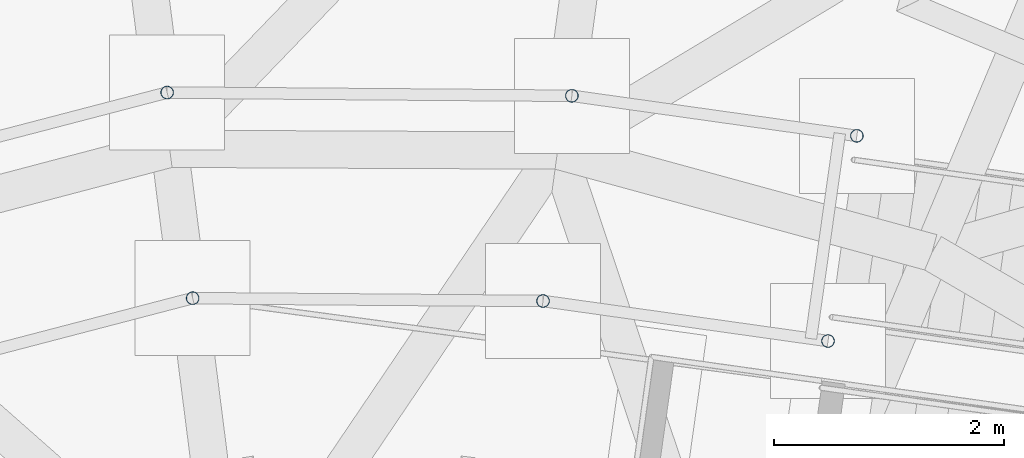
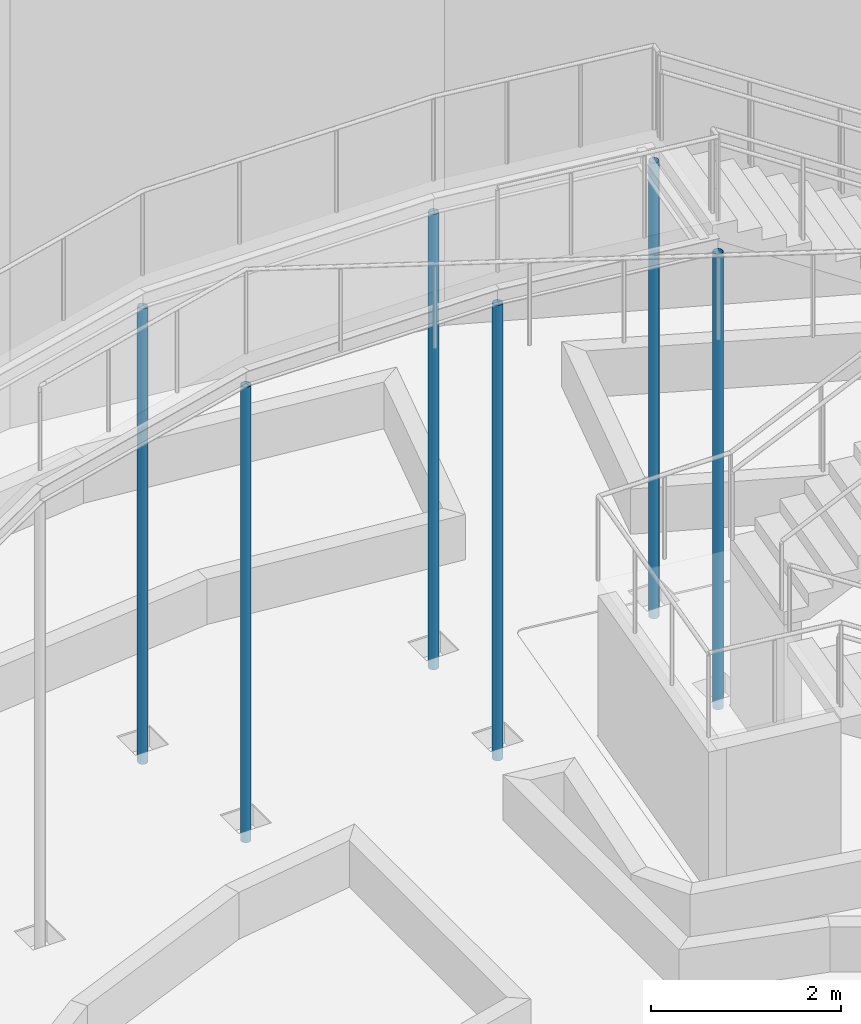
# One storey, part 39 of 226: 6 columns.
"""IFC4 building model written with IfcOpenShell, lengths in metres."""

import ifcopenshell
import ifcopenshell.guid

model = None  # the IFC model being written
_history = None  # IfcOwnerHistory: only IFC2X3 demands one
_inside = {}  # id of a spatial element -> (the spatial element, [elements in it])
_under = {}  # id of a project, library or spatial element -> (it, [spatial elements below it])
_declared = {}  # id of a project -> (the project, [libraries it declares])
_typed = {}  # id of a type object -> (the type object, [elements of that type])
_made_of = {}  # id of a material, layer set ... -> (it, [elements and type objects made of it])


def new_model(schema):
    """Start an empty IFC model of exactly this schema.

    Asked for "IFC4X3", IfcOpenShell would pick the latest addendum, in which some entities
    have other attributes; the version numbers below select the first issue.
    IFC2X3 requires an IfcOwnerHistory on every rooted entity: one is made here for all.
    """
    global model, _history
    if schema == "IFC4X3":
        model = ifcopenshell.file(schema_version=(4, 3, 0, 0))
    else:
        model = ifcopenshell.file(schema=schema)
    _inside.clear()
    _under.clear()
    _declared.clear()
    _typed.clear()
    _made_of.clear()
    _history = None
    if model.schema == "IFC2X3":
        org = make("IfcOrganization", Name="unknown")
        user = make(
            "IfcPersonAndOrganization",
            ThePerson=make("IfcPerson", FamilyName="unknown"),
            TheOrganization=org,
        )
        app = make(
            "IfcApplication",
            ApplicationDeveloper=org,
            Version="unknown",
            ApplicationFullName="unknown",
            ApplicationIdentifier="unknown",
        )
        _history = make(
            "IfcOwnerHistory",
            OwningUser=user,
            OwningApplication=app,
            ChangeAction="ADDED",
            CreationDate=0,
        )
    return model


def make(cls, **values):
    """One entity of the class cls with the attributes given. An attribute that is None is left unset."""
    return model.create_entity(
        cls, **{name: value for name, value in values.items() if value is not None}
    )


def rooted(cls, **values):
    """An entity with a GlobalId (a new one), such as an element, a storey or a relation."""
    return make(cls, GlobalId=ifcopenshell.guid.new(), OwnerHistory=_history, **values)


def si_unit(unit_type, name, prefix=None):
    """IfcSIUnit, for example si_unit("LENGTHUNIT", "METRE", prefix="MILLI")."""
    return make("IfcSIUnit", UnitType=unit_type, Prefix=prefix, Name=name)


def assignment(units):
    """IfcUnitAssignment: the units of a project."""
    return None if units is None else make("IfcUnitAssignment", Units=units)


def point(xyz):
    """IfcCartesianPoint."""
    return None if xyz is None else make("IfcCartesianPoint", Coordinates=xyz)


def direction(xyz):
    """IfcDirection."""
    return None if xyz is None else make("IfcDirection", DirectionRatios=xyz)


def frame(location, z_axis=None, x_axis=None):
    """IfcAxis2Placement3D, a coordinate frame: its origin and axes. An axis left out is left unset."""
    return make(
        "IfcAxis2Placement3D",
        Location=point(location),
        Axis=direction(z_axis),
        RefDirection=direction(x_axis),
    )


def frame_2d(location, x_axis=None):
    """IfcAxis2Placement2D, a coordinate frame in the plane: its origin and x axis."""
    return make(
        "IfcAxis2Placement2D", Location=point(location), RefDirection=direction(x_axis)
    )


def origin():
    """The frame at (0, 0, 0) with its axes left unset."""
    return frame((0.0, 0.0, 0.0))


def origin_2d():
    """The frame at (0, 0) in the plane with its x axis left unset."""
    return frame_2d((0.0, 0.0))


def place(relative_to, where):
    """IfcLocalPlacement: puts the frame where relative to a parent placement (None: the world)."""
    return make(
        "IfcLocalPlacement", PlacementRelTo=relative_to, RelativePlacement=where
    )


def context(
    kind, dimensions, precision=None, world=None, true_north=None, identifier=None
):
    """IfcGeometricRepresentationContext, for example the 3D "Model" context."""
    return make(
        "IfcGeometricRepresentationContext",
        ContextIdentifier=identifier,
        ContextType=kind,
        CoordinateSpaceDimension=dimensions,
        Precision=precision,
        WorldCoordinateSystem=world,
        TrueNorth=true_north,
    )


def subcontext(parent, identifier, kind, view, scale=None):
    """IfcGeometricRepresentationSubContext, for example "Body" below "Model"."""
    return make(
        "IfcGeometricRepresentationSubContext",
        ContextIdentifier=identifier,
        ContextType=kind,
        ParentContext=parent,
        TargetScale=scale,
        TargetView=view,
    )


def project(units=None, contexts=None):
    """IfcProject with its units and contexts."""
    return rooted(
        "IfcProject",
        Name="project",
        RepresentationContexts=contexts,
        UnitsInContext=assignment(units),
    )


def spatial(cls, under=None, at=None, **own):
    """A site, building, storey or space (cls), placed at a placement, below another one or the project."""
    s = rooted(cls, ObjectPlacement=at, **own)
    if under is not None:
        _under.setdefault(under.id(), (under, []))[1].append(s)
    return s


def profile(cls, at=None, kind="AREA", **sizes):
    """A parametric profile (cls). Its sizes go by their IFC names, for example OverallWidth=200.0."""
    return make(cls, ProfileType=kind, Position=at, **sizes)


def hollow_circle(**sizes):
    """IfcCircleHollowProfileDef."""
    return profile("IfcCircleHollowProfileDef", **sizes)


def extrude(swept, where, along, depth):
    """IfcExtrudedAreaSolid: the profile swept, set in the frame where, extruded along a direction by depth."""
    return make(
        "IfcExtrudedAreaSolid",
        SweptArea=swept,
        Position=where,
        ExtrudedDirection=direction(along),
        Depth=depth,
    )


def shape(context_of_items, identifier, shape_type, items):
    """IfcShapeRepresentation: the items that make up one representation, for example the "Body"."""
    return make(
        "IfcShapeRepresentation",
        ContextOfItems=context_of_items,
        RepresentationIdentifier=identifier,
        RepresentationType=shape_type,
        Items=items,
    )


def material(Name=None, Category=None):
    """IfcMaterial."""
    return make("IfcMaterial", Name=Name, Category=Category)


def material_profile(
    of_material, cross_section, Name=None, Category=None, Priority=None
):
    """IfcMaterialProfile: a cross section and its material."""
    return make(
        "IfcMaterialProfile",
        Name=Name,
        Material=of_material,
        Profile=cross_section,
        Priority=Priority,
        Category=Category,
    )


def profile_set(profiles, Name=None, composite=None):
    """IfcMaterialProfileSet."""
    return make(
        "IfcMaterialProfileSet",
        Name=Name,
        MaterialProfiles=profiles,
        CompositeProfile=composite,
    )


def made_of(thing, what):
    """Note that an element or type object is made of a material, layer set ...; save() writes the relation."""
    if what is not None:
        _made_of.setdefault(what.id(), (what, []))[1].append(thing)
    return thing


def type_object(cls, material=None, **own):
    """A type object (cls), such as IfcWallType, which elements share."""
    return made_of(rooted(cls, **own), material)


def element(
    cls,
    number,
    at=None,
    inside=None,
    cuts=None,
    type_object=None,
    material=None,
    context=None,
    identifier="Body",
    shape_type=None,
    held_by="IfcProductDefinitionShape",
    body=None,
    shapes=None,
    **own,
):
    """One element of the class cls, such as IfcWall. Its Tag is "e" and its number.

    at: its placement. inside: the storey or other place that contains it. cuts: it is an
    opening in that element (IfcRelVoidsElement). A single representation is given by context,
    identifier, shape_type and body (its items); several are given by shapes. held_by: the class
    of the entity that holds the representations. save() writes the other relations.
    """
    e = rooted(cls, Tag="e%d" % number, ObjectPlacement=at, **own)
    if body is not None:
        shapes = [shape(context, identifier, shape_type, body)]
    if shapes is not None:
        e.Representation = make(held_by, Representations=shapes)
    if inside is not None:
        _inside.setdefault(inside.id(), (inside, []))[1].append(e)
    if cuts is not None:
        rooted(
            "IfcRelVoidsElement", RelatingBuildingElement=cuts, RelatedOpeningElement=e
        )
    if type_object is not None:
        _typed.setdefault(type_object.id(), (type_object, []))[1].append(e)
    return made_of(e, material)


def aggregate(whole, parts):
    """IfcRelAggregates: a whole, such as a stair, and the parts it consists of."""
    return rooted("IfcRelAggregates", RelatingObject=whole, RelatedObjects=parts)


def save(model, path):
    """Write the relations noted so far, then the file.

    IfcRelAggregates (storeys below a building ...), IfcRelContainedInSpatialStructure (elements
    in a storey), IfcRelDefinesByType, IfcRelAssociatesMaterial and IfcRelDeclares: one each for
    every whole, place, type object, material and project.
    """
    for whole, parts in _under.values():
        aggregate(whole, parts)
    for where, things in _inside.values():
        rooted(
            "IfcRelContainedInSpatialStructure",
            RelatedElements=things,
            RelatingStructure=where,
        )
    for kind, things in _typed.values():
        rooted("IfcRelDefinesByType", RelatedObjects=things, RelatingType=kind)
    for what, things in _made_of.values():
        rooted("IfcRelAssociatesMaterial", RelatedObjects=things, RelatingMaterial=what)
    for by, libraries in _declared.values():
        rooted("IfcRelDeclares", RelatingContext=by, RelatedDefinitions=libraries)
    model.write(path)


model = new_model("IFC4")

# Units and contexts
model_context = context("Model", 3, precision=1e-05, world=origin(), true_north=direction((0.0, 1.0)))
body_context = subcontext(model_context, "Body", "Model", "MODEL_VIEW")
ifc_project = project(units=[si_unit("LENGTHUNIT", "METRE"), si_unit("AREAUNIT", "SQUARE_METRE"), si_unit("VOLUMEUNIT", "CUBIC_METRE"), si_unit("PLANEANGLEUNIT", "RADIAN"), si_unit("MASSUNIT", "GRAM", prefix="KILO")], contexts=[model_context])

# Site, building, storey
site_placement = place(None, origin())
site = spatial("IfcSite", under=ifc_project, at=site_placement, CompositionType="ELEMENT")
building_placement = place(site_placement, origin())
building = spatial("IfcBuilding", under=site, at=building_placement, Name="Ceibo Conservatory and Research Tower", CompositionType="ELEMENT")
storey_placement = place(building_placement, origin())
storey = spatial("IfcBuildingStorey", under=building, at=storey_placement, Name="L00", CompositionType="ELEMENT", Elevation=0.0)

# Columns
ifc_material = material(Name="Steel ASTM A500 Gr C", Category="steel")
ifc_material_profile = material_profile(ifc_material, hollow_circle(Radius=0.05712890625, WallThickness=0.006103515625, at=origin_2d()), Name="CHS column 114.3x6.02")
ifc_profile_set = profile_set([ifc_material_profile], Name="Steel ASTM A500 Gr C")
column_type = type_object("IfcColumnType", Name="CHS column 114.3x6.02", PredefinedType="COLUMN", material=ifc_profile_set)
for number, where, z_axis, x_axis, name in (
    (1, (157.864990234375, 121.26953125, -0.25), (0.0, 0.0, 1.0), (1.0, 0.0, 0.0), "Walkway column WK-C01O"),
    (2, (157.614501953125, 119.487060546875, -0.25), (0.0, 0.0, 1.0), (1.0, 0.0, 0.0), "Walkway column WK-C01I"),
    (3, (154.34912109375, 121.2978515625, -0.25), (0.0, 0.0, 1.0), (1.0, 0.0, 0.0), "Walkway column WK-C02O"),
    (4, (154.57080078125, 119.51171875, -0.25), (0.0, 0.0, 1.0), (1.0, 0.0, 0.0), "Walkway column WK-C02I"),
    (5, (160.340576171875, 120.921630859375, -0.25), (0.0, 0.0, 1.0), (1.0, 0.0, 0.0), "Walkway column WK-P1O"),
    (6, (160.090087890625, 119.13916015625, -0.25), (0.0, 0.0, 1.0), (1.0, 0.0, 0.0), "Walkway column WK-P1I"),
):
    element("IfcColumn", number, at=place(storey_placement, frame(where, z_axis=z_axis, x_axis=x_axis)), inside=storey, type_object=column_type, Name=name, PredefinedType="COLUMN", context=body_context, shape_type="SweptSolid", body=[
        extrude(hollow_circle(Radius=0.05712890625, WallThickness=0.006103515625, at=origin_2d()), origin(), (0.0, 0.0, 1.0), 5.85009765625),
    ])

save(model, "model.ifc")
